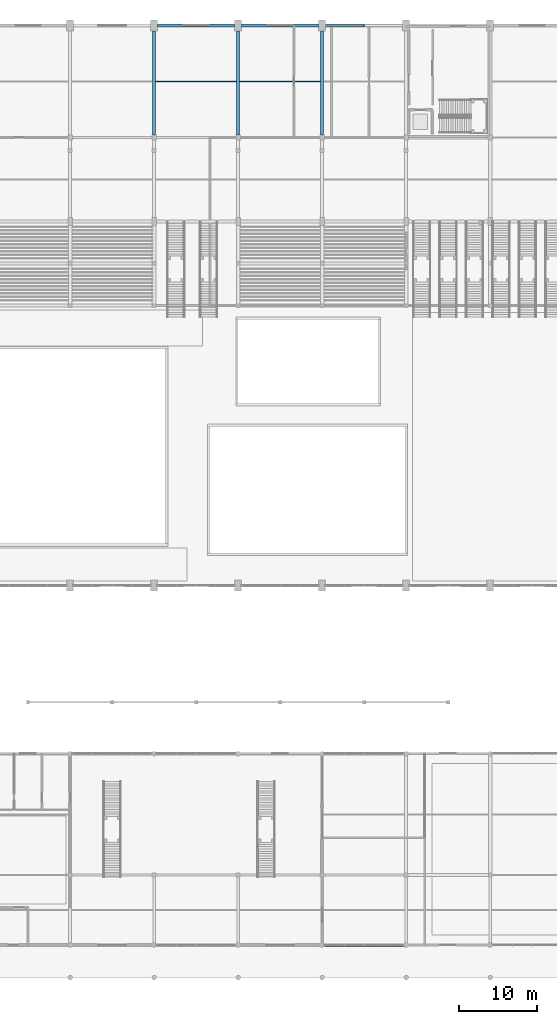
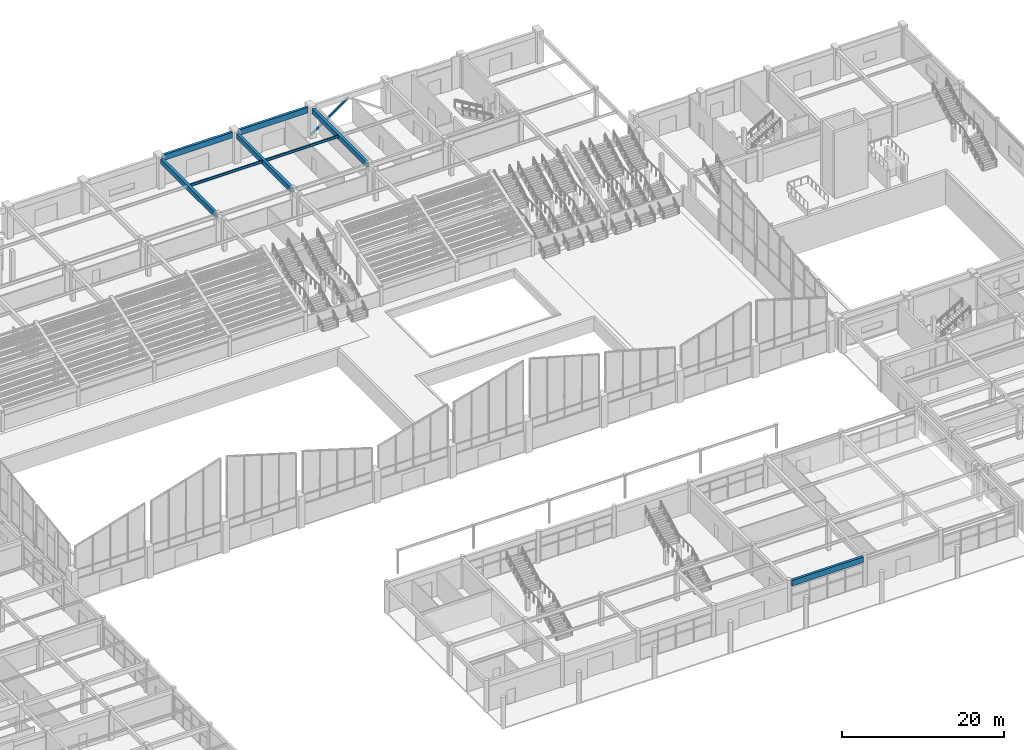
# One storey, part 31 of 82: 8 beams, 1 member.
"""IFC4 building model written with IfcOpenShell, lengths in metres."""

from ifc_helpers import new_model, si_unit, direction, frame, origin, origin_2d, place, context, subcontext, project, spatial, rectangle, hollow_rectangle, i_section, extrude, material, material_profile, profile_set, type_object, element, save


model = new_model("IFC4")

# Units and contexts
model_context = context("Model", 3, precision=1e-05, world=origin(), true_north=direction((0.0, 1.0)))
body_context = subcontext(model_context, "Body", "Model", "MODEL_VIEW")
ifc_project = project(units=[si_unit("LENGTHUNIT", "METRE"), si_unit("AREAUNIT", "SQUARE_METRE"), si_unit("VOLUMEUNIT", "CUBIC_METRE"), si_unit("PLANEANGLEUNIT", "RADIAN"), si_unit("MASSUNIT", "GRAM", prefix="KILO")], contexts=[model_context])

# Site, building, storey
site_placement = place(None, origin())
site = spatial("IfcSite", under=ifc_project, at=site_placement, CompositionType="ELEMENT")
building_placement = place(site_placement, origin())
building = spatial("IfcBuilding", under=site, at=building_placement, Name="Suirenkawa Promenade Aquatics Centre", CompositionType="ELEMENT")
storey_placement = place(building_placement, origin())
storey = spatial("IfcBuildingStorey", under=building, at=storey_placement, Name="L00", CompositionType="ELEMENT", Elevation=0.0)

# Beams
ifc_material_1 = material(Name="Steel IS 2062 E350 (Grade 350)", Category="steel")
ifc_material_profile_1 = material_profile(ifc_material_1, i_section(OverallWidth=0.139892578125, OverallDepth=0.39990234375, WebThickness=0.009033203125, FlangeThickness=0.01611328125, at=origin_2d()), Name="ISMB 400", Category="steel")
ifc_profile_set_1 = profile_set([ifc_material_profile_1], Name="Steel IS 2062 E350 (Grade 350)")
beam_type_1 = type_object("IfcBeamType", Name="BT-JOIST-ISMB400", PredefinedType="JOIST", material=ifc_profile_set_1)
for number, where, z_axis, x_axis, name in (
    (1, (100.993896484375, 115.199951171875, 4.318115234375), (1.0, 0.0, 0.0), (0.0, 1.0, 0.0), "Secondary floor joist JS-04 BM-1118"),
    (2, (111.7939453125, 115.199951171875, 4.318115234375), (1.0, 0.0, 0.0), (0.0, 1.0, 0.0), "Secondary floor joist JS-04 BM-1120"),
):
    element("IfcBeam", number, at=place(storey_placement, frame(where, z_axis=z_axis, x_axis=x_axis)), inside=storey, type_object=beam_type_1, Name=name, PredefinedType="JOIST", context=body_context, shape_type="SweptSolid", body=[
        extrude(i_section(OverallWidth=0.139892578125, OverallDepth=0.39990234375, WebThickness=0.009033203125, FlangeThickness=0.01611328125, at=origin_2d()), origin(), (0.0, 0.0, 1.0), 10.412109375),
    ])
ifc_material_2 = material(Name="Concrete M40", Category="concrete")
ifc_material_profile_2 = material_profile(ifc_material_2, rectangle(XDim=0.39990234375, YDim=0.75, at=origin_2d()), Name="RC BM 400x750", Category="concrete")
ifc_profile_set_2 = profile_set([ifc_material_profile_2], Name="Concrete M40")
beam_type_2 = type_object("IfcBeamType", Name="BT-RC-400x750", PredefinedType="BEAM", material=ifc_profile_set_2)
for number, where, z_axis, x_axis, name in (
    (3, (100.800048828125, 108.2939453125, 4.14501953125), (0.0, 1.0, 0.0), (-1.0, 0.0, 0.0), "Floor beam BM-05 BM-1097"),
    (4, (111.60009765625, 108.2939453125, 4.14501953125), (0.0, 1.0, 0.0), (-1.0, 0.0, 0.0), "Floor beam BM-05 BM-1099"),
    (5, (122.39990234375, 108.2939453125, 4.14501953125), (0.0, 1.0, 0.0), (-1.0, 0.0, 0.0), "Floor beam BM-05 BM-1101"),
):
    element("IfcBeam", number, at=place(storey_placement, frame(where, z_axis=z_axis, x_axis=x_axis)), inside=storey, type_object=beam_type_2, Name=name, PredefinedType="BEAM", context=body_context, shape_type="SweptSolid", body=[
        extrude(rectangle(XDim=0.39990234375, YDim=0.75, at=origin_2d()), origin(), (0.0, 0.0, 1.0), 13.412109375),
    ])
ifc_material_profile_3 = material_profile(ifc_material_2, rectangle(XDim=0.35009765625, YDim=0.85009765625, at=origin_2d()), Name="RC SPANDREL 350x850", Category="concrete")
ifc_profile_set_3 = profile_set([ifc_material_profile_3], Name="Concrete M40")
beam_type_3 = type_object("IfcBeamType", Name="BT-SPANDREL-350x850", PredefinedType="SPANDREL", material=ifc_profile_set_3)
for number, where, z_axis, x_axis, name in (
    (6, (101.243896484375, 122.39990234375, 4.094970703125), (1.0, 0.0, 0.0), (0.0, 1.0, 0.0), "Floor beam SP-02 BM-1081"),
    (7, (112.0439453125, 122.39990234375, 4.094970703125), (1.0, 0.0, 0.0), (0.0, 1.0, 0.0), "Floor beam SP-02 BM-1082"),
):
    element("IfcBeam", number, at=place(storey_placement, frame(where, z_axis=z_axis, x_axis=x_axis)), inside=storey, type_object=beam_type_3, Name=name, PredefinedType="SPANDREL", context=body_context, shape_type="SweptSolid", body=[
        extrude(rectangle(XDim=0.35009765625, YDim=0.85009765625, at=origin_2d()), origin(), (0.0, 0.0, 1.0), 9.912109375),
    ])
beam_placement = place(storey_placement, frame((122.694091796875, 4.199951171875, 4.125), z_axis=(1.0, 0.0, 0.0), x_axis=(0.0, 1.0, 0.0)))
element("IfcBeam", 8, at=beam_placement, inside=storey, type_object=beam_type_3, Name="Floor beam SP-02 BM-1501", PredefinedType="SPANDREL", context=body_context, shape_type="SweptSolid", body=[
    extrude(rectangle(XDim=0.35009765625, YDim=0.85009765625, at=origin_2d()), origin(), (0.0, 0.0, 1.0), 10.2119140625),
])

# Member
ifc_material_profile_4 = material_profile(ifc_material_1, hollow_rectangle(XDim=0.25, YDim=0.25, WallThickness=0.011962890625, at=origin_2d()), Name="SHS 250x250x12", Category="steel")
ifc_profile_set_4 = profile_set([ifc_material_profile_4], Name="Steel IS 2062 E350 (Grade 350)")
member_type = type_object("IfcMemberType", Name="MT-BRACE-SHS250", PredefinedType="BRACE", material=ifc_profile_set_4)
member_placement = place(storey_placement, frame((122.39990234375, 122.39990234375, 0.050048828125), z_axis=(0.817810286204, 0.0, 0.575487911062), x_axis=(0.0, 1.0, 0.0)))
element("IfcMember", 9, at=member_placement, inside=storey, type_object=member_type, Name="ROOF TRUSS Vertical chevron brace BF-03 MB-2907", PredefinedType="BRACE", context=body_context, shape_type="SweptSolid", body=[
    extrude(hollow_rectangle(XDim=0.25, YDim=0.25, WallThickness=0.011962890625, at=origin_2d()), origin(), (0.0, 0.0, 1.0), 6.603271484375),
])

save(model, "model.ifc")
